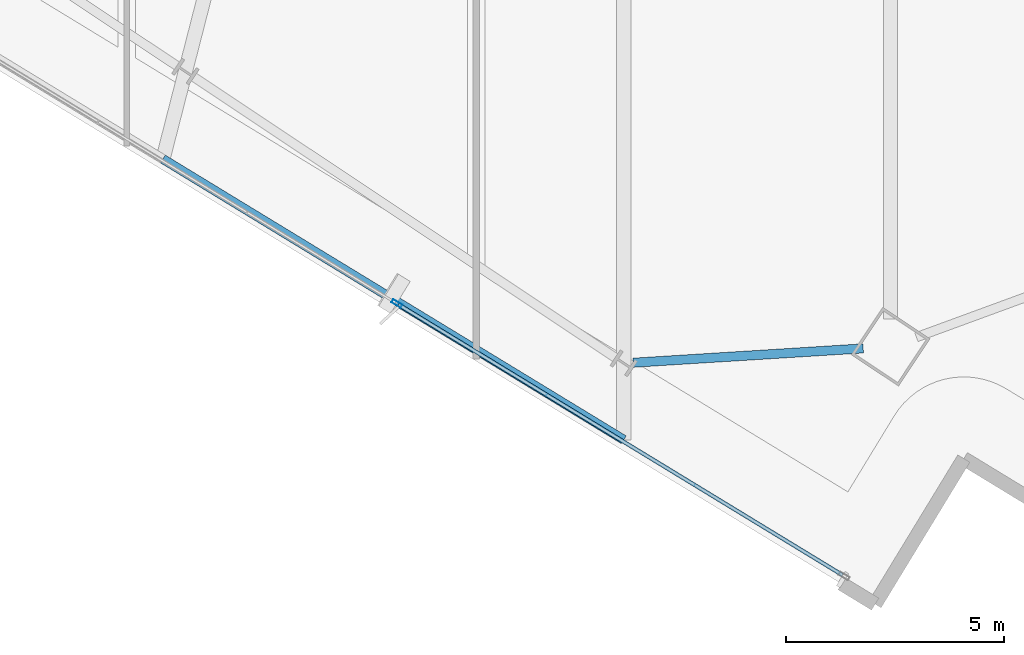
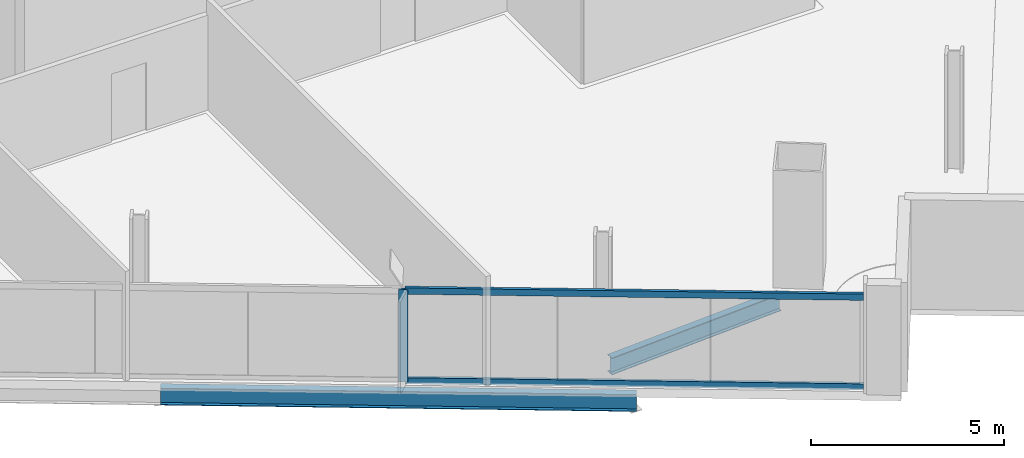
# One storey, part 3 of 28: 3 members, 2 beams, 1 element without a shape of its own.
"""IFC4 building model written with IfcOpenShell, lengths in metres."""

from ifc_helpers import new_model, si_unit, direction, frame, origin, origin_2d, place, context, subcontext, project, spatial, hollow_rectangle, i_section, extrude, material, material_profile, profile_set, type_object, element, aggregate, save


model = new_model("IFC4")

# Units and contexts
model_context = context("Model", 3, precision=1e-05, world=origin(), true_north=direction((0.0, 1.0)))
body_context = subcontext(model_context, "Body", "Model", "MODEL_VIEW")
ifc_project = project(units=[si_unit("LENGTHUNIT", "METRE"), si_unit("AREAUNIT", "SQUARE_METRE"), si_unit("VOLUMEUNIT", "CUBIC_METRE"), si_unit("PLANEANGLEUNIT", "RADIAN"), si_unit("MASSUNIT", "GRAM", prefix="KILO")], contexts=[model_context])

# Site, building, storey
site_placement = place(None, origin())
site = spatial("IfcSite", under=ifc_project, at=site_placement, CompositionType="ELEMENT")
building_placement = place(site_placement, origin())
building = spatial("IfcBuilding", under=site, at=building_placement, Name="Haldenkirk Collegiate Tower", CompositionType="ELEMENT")
storey_placement = place(building_placement, frame((0.0, 0.0, 224.699951171875)))
storey = spatial("IfcBuildingStorey", under=building, at=storey_placement, Name="L56", CompositionType="ELEMENT", Elevation=224.699951171875)

# Beams
ifc_material_1 = material(Name="Steel ASTM A992 Grade 50", Category="steel")
ifc_material_profile_1 = material_profile(ifc_material_1, i_section(OverallWidth=0.2099609375, OverallDepth=0.537109375, WebThickness=0.010986328125, FlangeThickness=0.017333984375, at=origin_2d()), Name="W21X68")
ifc_profile_set_1 = profile_set([ifc_material_profile_1], Name="Steel ASTM A992 Grade 50")
beam_type = type_object("IfcBeamType", Name="BM-SPANDREL-W21X68", PredefinedType="SPANDREL", material=ifc_profile_set_1)
beam_1_placement = place(storey_placement, frame((34.59326171875, 0.966064453125, -0.54833984375), z_axis=(0.99806607268, 0.062162002577, 0.0), x_axis=(-0.062162002577, 0.99806607268, 0.0)))
element("IfcBeam", 1, at=beam_1_placement, inside=storey, type_object=beam_type, Name="L56 perimeter spandrel beam 16", PredefinedType="SPANDREL", context=body_context, shape_type="SweptSolid", body=[
    extrude(i_section(OverallWidth=0.2099609375, OverallDepth=0.537109375, WebThickness=0.010986328125, FlangeThickness=0.017333984375, at=origin_2d()), origin(), (0.0, 0.0, 1.0), 5.270751953125),
])
beam_2_placement = place(storey_placement, frame((23.829833984375, 5.62744140625, -0.54833984375), z_axis=(0.854002281496, -0.520269260287, 0.0), x_axis=(0.520269260287, 0.854002281496, 0.0)))
element("IfcBeam", 2, at=beam_2_placement, inside=storey, type_object=beam_type, Name="L56 outer facade edge beam 4B", PredefinedType="SPANDREL", context=body_context, shape_type="SweptSolid", body=[
    extrude(i_section(OverallWidth=0.2099609375, OverallDepth=0.537109375, WebThickness=0.010986328125, FlangeThickness=0.017333984375, at=origin_2d()), origin(), (0.0, 0.0, 1.0), 12.349853515625),
])

# Curtain wall, members
ifc_material_2 = material(Name="Anodised architectural bronze aluminium", Category="aluminium")
curtain_wall_type = type_object("IfcCurtainWallType", Name="CW-SYS1B-CONVEX-HI", PredefinedType="USERDEFINED", material=ifc_material_2)
curtain_wall_placement = place(storey_placement, origin())
curtain_wall = element("IfcCurtainWall", 3, at=curtain_wall_placement, inside=storey, type_object=curtain_wall_type, Name="L56 Upper tower high-wind convex bronze unitised curtain wall", ObjectType="UNITISED CURTAIN WALL", PredefinedType="USERDEFINED")
ifc_material_profile_2 = material_profile(ifc_material_2, hollow_rectangle(XDim=0.0849609375, YDim=0.25, WallThickness=0.0048828125, at=origin_2d()), Name="CW-MUL-1B")
ifc_profile_set_2 = profile_set([ifc_material_profile_2], Name="Anodised architectural bronze aluminium")
member_type_1 = type_object("IfcMemberType", Name="CW-MUL-1B", PredefinedType="MULLION", material=ifc_profile_set_2)
member_1_placement = place(storey_placement, frame((29.184326171875, 2.318603515625, 0.0), z_axis=(0.0, 0.0, 1.0), x_axis=(-0.520268152303, -0.854002956493, 0.0)))
member_1 = element("IfcMember", 4, at=member_1_placement, type_object=member_type_1, Name="CW-1B mullion 2", PredefinedType="MULLION", context=body_context, shape_type="SweptSolid", body=[
    extrude(hollow_rectangle(XDim=0.0849609375, YDim=0.25, WallThickness=0.0048828125, at=origin_2d()), origin(), (0.0, 0.0, 1.0), 2.927978515625),
])
ifc_material_profile_3 = material_profile(ifc_material_2, hollow_rectangle(XDim=0.0849609375, YDim=0.199951171875, WallThickness=0.0048828125, at=origin_2d()), Name="CW-TRN-1B")
ifc_profile_set_3 = profile_set([ifc_material_profile_3], Name="Anodised architectural bronze aluminium")
member_type_2 = type_object("IfcMemberType", Name="CW-TRN-1B", PredefinedType="USERDEFINED", material=ifc_profile_set_3)
member_2_placement = place(storey_placement, frame((39.381103515625, -3.8935546875, 0.04248046875), z_axis=(-0.853998779276, 0.520275009005, 0.0), x_axis=(-0.520275009005, -0.853998779276, 0.0)))
member_2 = element("IfcMember", 5, at=member_2_placement, type_object=member_type_2, Name="CW-1B transom 1.1", ObjectType="TRANSOM", PredefinedType="USERDEFINED", context=body_context, shape_type="SweptSolid", body=[
    extrude(hollow_rectangle(XDim=0.0849609375, YDim=0.199951171875, WallThickness=0.0048828125, at=origin_2d()), origin(), (0.0, 0.0, 1.0), 11.8974609375),
])
member_3_placement = place(storey_placement, frame((39.381103515625, -3.8935546875, 2.885498046875), z_axis=(-0.853998779276, 0.520275009005, 0.0), x_axis=(-0.520275009005, -0.853998779276, 0.0)))
member_3 = element("IfcMember", 6, at=member_3_placement, type_object=member_type_2, Name="CW-1B transom 1.2", ObjectType="TRANSOM", PredefinedType="USERDEFINED", context=body_context, shape_type="SweptSolid", body=[
    extrude(hollow_rectangle(XDim=0.0849609375, YDim=0.199951171875, WallThickness=0.0048828125, at=origin_2d()), origin(), (0.0, 0.0, 1.0), 11.8974609375),
])
aggregate(curtain_wall, [member_1, member_2, member_3])

save(model, "model.ifc")
